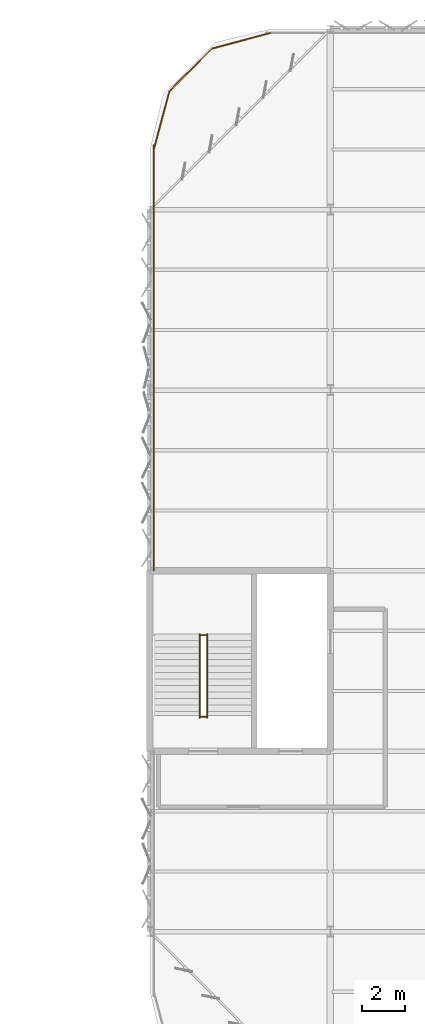
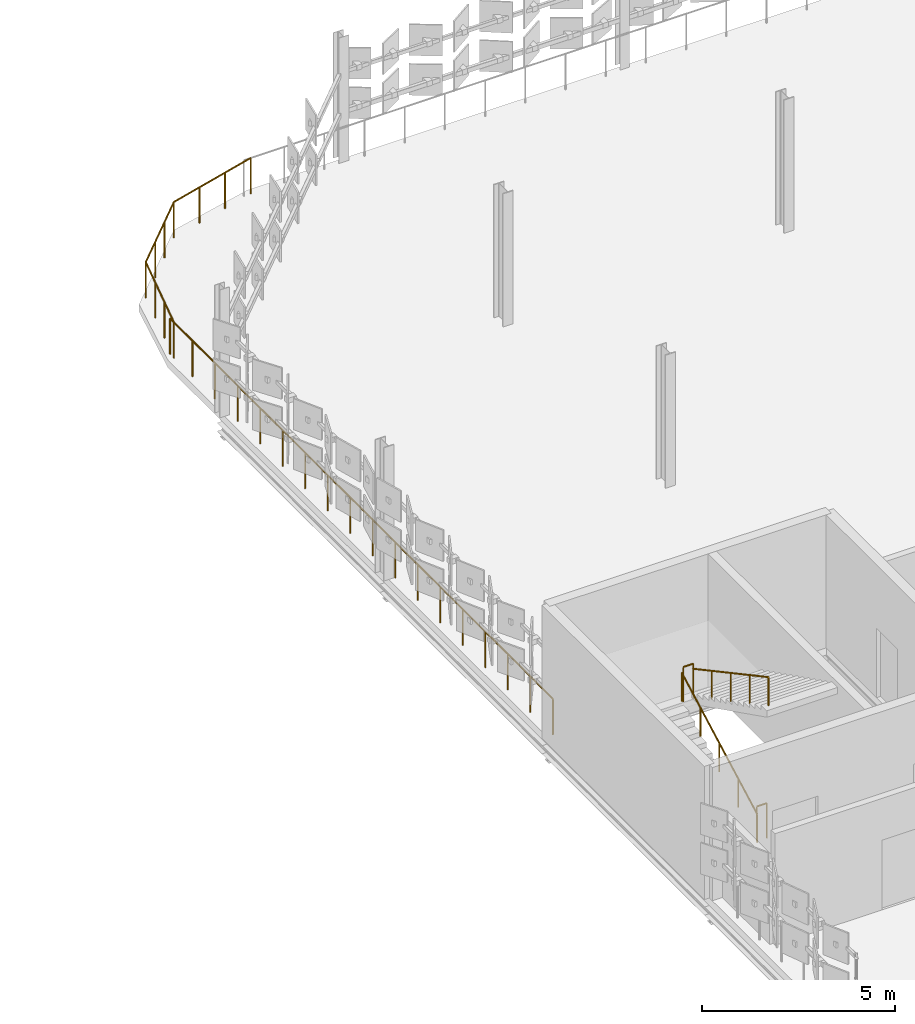
# One storey, part 65 of 69: 6 railings.
"""IFC4 building model written with IfcOpenShell, lengths in metres."""

from ifc_helpers import new_model, si_unit, direction, frame, origin, origin_2d, place, context, subcontext, project, spatial, circle, extrude, material, type_object, element, save


model = new_model("IFC4")

# Units and contexts
model_context = context("Model", 3, precision=1e-05, world=origin(), true_north=direction((0.0, 1.0)))
body_context = subcontext(model_context, "Body", "Model", "MODEL_VIEW")
ifc_project = project(units=[si_unit("LENGTHUNIT", "METRE"), si_unit("AREAUNIT", "SQUARE_METRE"), si_unit("VOLUMEUNIT", "CUBIC_METRE"), si_unit("PLANEANGLEUNIT", "RADIAN"), si_unit("MASSUNIT", "GRAM", prefix="KILO")], contexts=[model_context])

# Site, building, storey
site_placement = place(None, origin())
site = spatial("IfcSite", under=ifc_project, at=site_placement, CompositionType="ELEMENT")
building_placement = place(site_placement, origin())
building = spatial("IfcBuilding", under=site, at=building_placement, Name="Qalvenar Corner Mobility Hub", CompositionType="ELEMENT")
storey_placement = place(building_placement, frame((0.0, 0.0, 13.199951171875)))
storey = spatial("IfcBuildingStorey", under=building, at=storey_placement, Name="L03", CompositionType="ELEMENT", Elevation=13.199951171875)

# Railings
ifc_material_1 = material(Name="Art Nouveau Bronze-Finished Steel Balustrade", Category="steel")
railing_type_1 = type_object("IfcRailingType", Name="RL-GUARD-110", PredefinedType="GUARDRAIL", material=ifc_material_1)
for number, where, name in (
    (1, (61.139892578125, 85.60009765625, 0.0), "Stair Arrival Slot Guard C3-L03"),
    (2, (61.139892578125, 89.39990234375, 2.10009765625), "Stair Half-Landing Well Guard ST3-L03"),
):
    element("IfcRailing", number, at=place(storey_placement, frame(where)), inside=storey, type_object=railing_type_1, Name=name, PredefinedType="GUARDRAIL", context=body_context, shape_type="SweptSolid", body=[
        extrude(circle(Radius=0.02392578125, at=origin_2d()), frame((0.0, 0.0, 1.09619140625), z_axis=(1.0, 0.0, 0.0), x_axis=(0.0, 1.0, 0.0)), (0.0, 0.0, 1.0), 0.300048828125),
        extrude(circle(Radius=0.02099609375, at=origin_2d()), origin(), (0.0, 0.0, 1.0), 1.072021484375),
        extrude(circle(Radius=0.02099609375, at=origin_2d()), frame((0.300048828125, 0.0, 0.0)), (0.0, 0.0, 1.0), 1.072021484375),
    ])
ifc_material_2 = material(Name="Galvanised Steel Deck Edge Barrier", Category="steel")
railing_type_2 = type_object("IfcRailingType", Name="RL-GUARD-115", PredefinedType="GUARDRAIL", material=ifc_material_2)
railing_1_placement = place(storey_placement, frame((58.97998046875, 112.199951171875, 0.0)))
element("IfcRailing", 3, at=railing_1_placement, inside=storey, type_object=railing_type_2, Name="Parking Deck West-North Barrier L03", PredefinedType="GUARDRAIL", context=body_context, shape_type="SweptSolid", body=[
    extrude(circle(Radius=0.02392578125, at=origin_2d()), frame((0.0, 0.0, 1.1259765625), z_axis=(0.0, -1.0, 0.0), x_axis=(1.0, 0.0, 0.0)), (0.0, 0.0, 1.0), 19.800048828125),
    extrude(circle(Radius=0.02099609375, at=origin_2d()), origin(), (0.0, 0.0, 1.0), 1.101806640625),
    extrude(circle(Radius=0.02099609375, at=origin_2d()), frame((0.0, -1.164794921875, 0.0)), (0.0, 0.0, 1.0), 1.101806640625),
    extrude(circle(Radius=0.02099609375, at=origin_2d()), frame((0.0, -2.329345703125, 0.0)), (0.0, 0.0, 1.0), 1.101806640625),
    extrude(circle(Radius=0.02099609375, at=origin_2d()), frame((0.0, -3.494140625, 0.0)), (0.0, 0.0, 1.0), 1.101806640625),
    extrude(circle(Radius=0.02099609375, at=origin_2d()), frame((0.0, -4.658935546875, 0.0)), (0.0, 0.0, 1.0), 1.101806640625),
    extrude(circle(Radius=0.02099609375, at=origin_2d()), frame((0.0, -5.823486328125, 0.0)), (0.0, 0.0, 1.0), 1.101806640625),
    extrude(circle(Radius=0.02099609375, at=origin_2d()), frame((0.0, -6.98828125, 0.0)), (0.0, 0.0, 1.0), 1.101806640625),
    extrude(circle(Radius=0.02099609375, at=origin_2d()), frame((0.0, -8.153076171875, 0.0)), (0.0, 0.0, 1.0), 1.101806640625),
    extrude(circle(Radius=0.02099609375, at=origin_2d()), frame((0.0, -9.317626953125, 0.0)), (0.0, 0.0, 1.0), 1.101806640625),
    extrude(circle(Radius=0.02099609375, at=origin_2d()), frame((0.0, -10.482421875, 0.0)), (0.0, 0.0, 1.0), 1.101806640625),
    extrude(circle(Radius=0.02099609375, at=origin_2d()), frame((0.0, -11.64697265625, 0.0)), (0.0, 0.0, 1.0), 1.101806640625),
    extrude(circle(Radius=0.02099609375, at=origin_2d()), frame((0.0, -12.811767578125, 0.0)), (0.0, 0.0, 1.0), 1.101806640625),
    extrude(circle(Radius=0.02099609375, at=origin_2d()), frame((0.0, -13.9765625, 0.0)), (0.0, 0.0, 1.0), 1.101806640625),
    extrude(circle(Radius=0.02099609375, at=origin_2d()), frame((0.0, -15.14111328125, 0.0)), (0.0, 0.0, 1.0), 1.101806640625),
    extrude(circle(Radius=0.02099609375, at=origin_2d()), frame((0.0, -16.305908203125, 0.0)), (0.0, 0.0, 1.0), 1.101806640625),
    extrude(circle(Radius=0.02099609375, at=origin_2d()), frame((0.0, -17.470703125, 0.0)), (0.0, 0.0, 1.0), 1.101806640625),
    extrude(circle(Radius=0.02099609375, at=origin_2d()), frame((0.0, -18.63525390625, 0.0)), (0.0, 0.0, 1.0), 1.101806640625),
    extrude(circle(Radius=0.02099609375, at=origin_2d()), frame((0.0, -19.800048828125, 0.0)), (0.0, 0.0, 1.0), 1.101806640625),
])
railing_2_placement = place(storey_placement, frame((64.39990234375, 117.419921875, 0.0)))
element("IfcRailing", 4, at=railing_2_placement, inside=storey, type_object=railing_type_2, Name="Rounded Corner Barrier L03-NW", PredefinedType="GUARDRAIL", context=body_context, shape_type="SweptSolid", body=[
    extrude(circle(Radius=0.02392578125, at=origin_2d()), frame((0.0, 0.0, 1.1259765625), z_axis=(-0.965930961109, -0.258799880931, 0.0), x_axis=(0.258799880931, -0.965930961109, 0.0)), (0.0, 0.0, 1.0), 2.8056640625),
    extrude(circle(Radius=0.02392578125, at=origin_2d()), frame((-2.7099609375, -0.72607421875, 1.1259765625), z_axis=(-0.707106781187, -0.707106781187, 0.0), x_axis=(0.707106781187, -0.707106781187, 0.0)), (0.0, 0.0, 1.0), 2.8056640625),
    extrude(circle(Radius=0.02392578125, at=origin_2d()), frame((-4.69384765625, -2.7099609375, 1.1259765625), z_axis=(-0.258799880931, -0.965930961109, 0.0), x_axis=(0.965930961109, -0.258799880931, 0.0)), (0.0, 0.0, 1.0), 2.8056640625),
    extrude(circle(Radius=0.02099609375, at=origin_2d()), origin(), (0.0, 0.0, 1.0), 1.101806640625),
    extrude(circle(Radius=0.02099609375, at=origin_2d()), frame((-0.9033203125, -0.241943359375, 0.0)), (0.0, 0.0, 1.0), 1.101806640625),
    extrude(circle(Radius=0.02099609375, at=origin_2d()), frame((-1.806640625, -0.484130859375, 0.0)), (0.0, 0.0, 1.0), 1.101806640625),
    extrude(circle(Radius=0.02099609375, at=origin_2d()), frame((-2.7099609375, -0.72607421875, 0.0)), (0.0, 0.0, 1.0), 1.101806640625),
    extrude(circle(Radius=0.02099609375, at=origin_2d()), frame((-3.371337890625, -1.387451171875, 0.0)), (0.0, 0.0, 1.0), 1.101806640625),
    extrude(circle(Radius=0.02099609375, at=origin_2d()), frame((-4.032470703125, -2.048583984375, 0.0)), (0.0, 0.0, 1.0), 1.101806640625),
    extrude(circle(Radius=0.02099609375, at=origin_2d()), frame((-4.69384765625, -2.7099609375, 0.0)), (0.0, 0.0, 1.0), 1.101806640625),
    extrude(circle(Radius=0.02099609375, at=origin_2d()), frame((-4.935791015625, -3.61328125, 0.0)), (0.0, 0.0, 1.0), 1.101806640625),
    extrude(circle(Radius=0.02099609375, at=origin_2d()), frame((-5.177978515625, -4.5166015625, 0.0)), (0.0, 0.0, 1.0), 1.101806640625),
    extrude(circle(Radius=0.02099609375, at=origin_2d()), frame((-5.419921875, -5.419921875, 0.0)), (0.0, 0.0, 1.0), 1.101806640625),
])
ifc_material_3 = material(Name="Brushed Stainless Steel Handrail", Category="steel")
railing_type_3 = type_object("IfcRailingType", Name="RL-HAND-092", PredefinedType="HANDRAIL", material=ifc_material_3)
railing_3_placement = place(storey_placement, frame((61.1201171875, 85.550048828125, 0.0)))
element("IfcRailing", 5, at=railing_3_placement, inside=storey, type_object=railing_type_3, Name="Stair Handrail ST3-L03-1", PredefinedType="HANDRAIL", context=body_context, shape_type="SweptSolid", body=[
    extrude(circle(Radius=0.02392578125, at=origin_2d()), frame((0.0, 0.0, 0.89599609375), z_axis=(0.0, 0.880456940745, 0.474126117709), x_axis=(-1.0, 0.0, 0.0)), (0.0, 0.0, 1.0), 4.429443359375),
    extrude(circle(Radius=0.02099609375, at=origin_2d()), origin(), (0.0, 0.0, 1.0), 0.871826171875),
    extrude(circle(Radius=0.02099609375, at=origin_2d()), frame((0.0, 0.97509765625, 0.52490234375)), (0.0, 0.0, 1.0), 0.871826171875),
    extrude(circle(Radius=0.02099609375, at=origin_2d()), frame((0.0, 1.949951171875, 1.050048828125)), (0.0, 0.0, 1.0), 0.871826171875),
    extrude(circle(Radius=0.02099609375, at=origin_2d()), frame((0.0, 2.9248046875, 1.5751953125)), (0.0, 0.0, 1.0), 0.871826171875),
    extrude(circle(Radius=0.02099609375, at=origin_2d()), frame((0.0, 3.89990234375, 2.10009765625)), (0.0, 0.0, 1.0), 0.871826171875),
])
railing_4_placement = place(storey_placement, frame((61.4599609375, 89.449951171875, 2.10009765625)))
element("IfcRailing", 6, at=railing_4_placement, inside=storey, type_object=railing_type_3, Name="Stair Handrail ST3-L03-2", PredefinedType="HANDRAIL", context=body_context, shape_type="SweptSolid", body=[
    extrude(circle(Radius=0.02392578125, at=origin_2d()), frame((0.0, 0.0, 0.89599609375), z_axis=(0.0, -0.88047994924, 0.474083388219), x_axis=(1.0, 0.0, 0.0)), (0.0, 0.0, 1.0), 4.42919921875),
    extrude(circle(Radius=0.02099609375, at=origin_2d()), origin(), (0.0, 0.0, 1.0), 0.871826171875),
    extrude(circle(Radius=0.02099609375, at=origin_2d()), frame((0.0, -0.97509765625, 0.52490234375)), (0.0, 0.0, 1.0), 0.871826171875),
    extrude(circle(Radius=0.02099609375, at=origin_2d()), frame((0.0, -1.949951171875, 1.0498046875)), (0.0, 0.0, 1.0), 0.871826171875),
    extrude(circle(Radius=0.02099609375, at=origin_2d()), frame((0.0, -2.9248046875, 1.574951171875)), (0.0, 0.0, 1.0), 0.871826171875),
    extrude(circle(Radius=0.02099609375, at=origin_2d()), frame((0.0, -3.89990234375, 2.099853515625)), (0.0, 0.0, 1.0), 0.871826171875),
])

save(model, "model.ifc")
